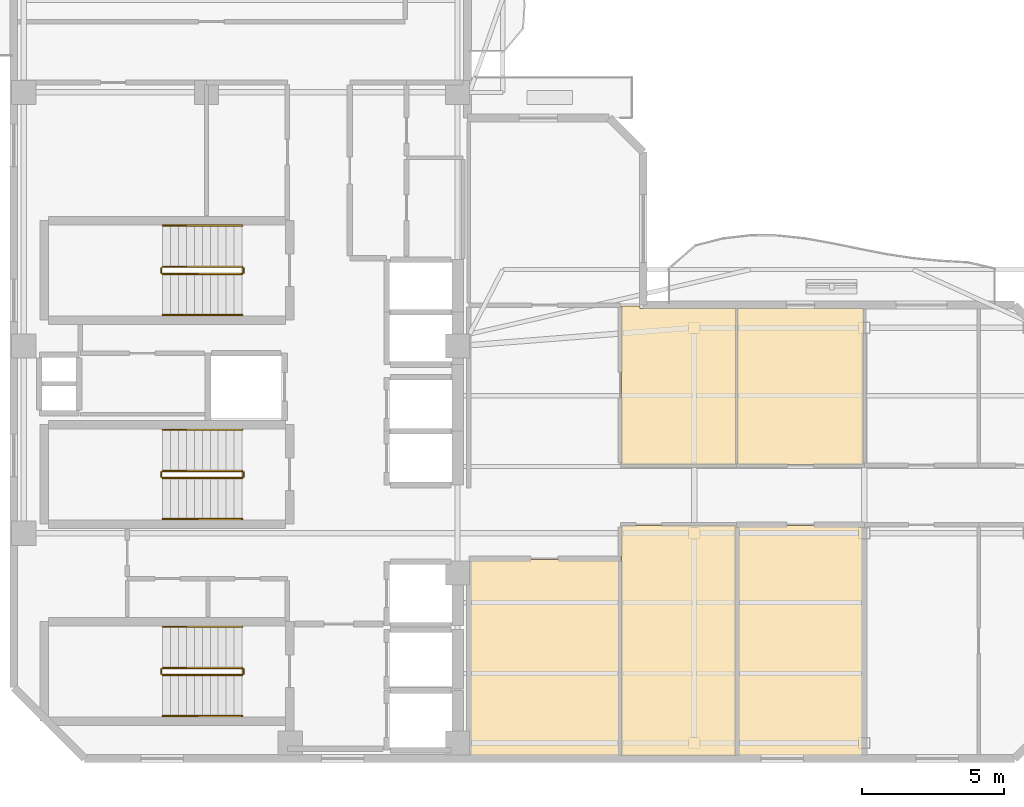
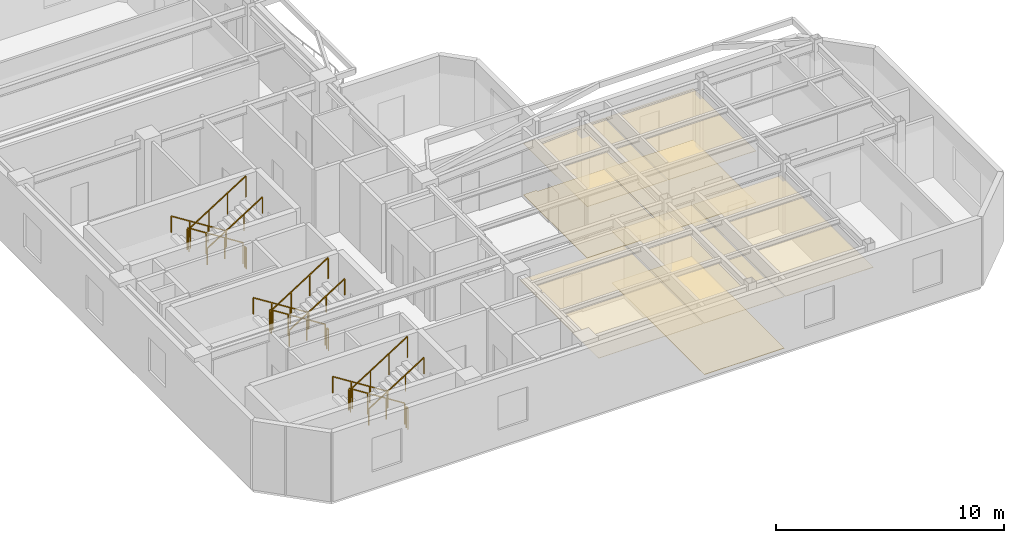
# One storey, part 6 of 8: 18 railings, 8 coverings.
"""IFC4 building model written with IfcOpenShell, lengths in metres."""

from ifc_helpers import new_model, si_unit, direction, frame, origin, origin_2d, place, context, subcontext, project, spatial, polyline, rectangle, outline, extrude, material, layer, layer_set, type_object, element, save


model = new_model("IFC4")

# Units and contexts
model_context = context("Model", 3, precision=1e-05, world=origin(), true_north=direction((0.0, 1.0)))
body_context = subcontext(model_context, "Body", "Model", "MODEL_VIEW")
ifc_project = project(units=[si_unit("LENGTHUNIT", "METRE"), si_unit("AREAUNIT", "SQUARE_METRE"), si_unit("VOLUMEUNIT", "CUBIC_METRE"), si_unit("PLANEANGLEUNIT", "RADIAN"), si_unit("MASSUNIT", "GRAM", prefix="KILO")], contexts=[model_context])

# Site, building, storey
site_placement = place(None, origin())
site = spatial("IfcSite", under=ifc_project, at=site_placement, CompositionType="ELEMENT")
building_placement = place(site_placement, origin())
building = spatial("IfcBuilding", under=site, at=building_placement, Name="Mawjaban Terraces University", CompositionType="ELEMENT")
storey_placement = place(building_placement, frame((0.0, 0.0, 267.699951171875)))
storey = spatial("IfcBuildingStorey", under=building, at=storey_placement, Name="L65", CompositionType="ELEMENT", Elevation=267.699951171875)

# Coverings
ifc_material_1 = material(Name="Acoustic mineral fibre ceiling tile", Category="masonry")
ifc_layer_1 = layer(ifc_material_1, 0.02001953125)
ifc_layer_set_1 = layer_set([ifc_layer_1], Name="Acoustic mineral fibre ceiling tile")
covering_type_1 = type_object("IfcCoveringType", Name="AcousticMineralCeiling_20", PredefinedType="CEILING", material=ifc_layer_set_1)
covering_1_placement = place(storey_placement, frame((0.0, 0.0, 2.75)))
element("IfcCovering", 1, at=covering_1_placement, inside=storey, type_object=covering_type_1, Name="L65 Media Workshop 1 Acoustic Ceiling", PredefinedType="CEILING", context=body_context, shape_type="SweptSolid", body=[
    extrude(outline(polyline([(38.080078125, 7.02001953125), (38.080078125, 0.114990234375), (43.3701171875, 0.114990234375), (43.3701171875, 7.02001953125), (38.080078125, 7.02001953125)])), origin(), (0.0, 0.0, 1.0), 0.02001953125),
])
covering_2_placement = place(storey_placement, frame((0.0, 0.0, 2.75)))
element("IfcCovering", 2, at=covering_2_placement, inside=storey, type_object=covering_type_1, Name="L65 Quiet Reading Room 2 Acoustic Ceiling", PredefinedType="CEILING", context=body_context, shape_type="SweptSolid", body=[
    extrude(outline(polyline([(43.429931640625, 0.114990234375), (47.469970703125, 0.114990234375), (47.469970703125, 8.219970703125), (43.429931640625, 8.219970703125), (43.429931640625, 0.114990234375)])), origin(), (0.0, 0.0, 1.0), 0.02001953125),
])
covering_3_placement = place(storey_placement, frame((0.0, 0.0, 2.75)))
element("IfcCovering", 3, at=covering_3_placement, inside=storey, type_object=covering_type_1, Name="L65 Reading Salon 3 Acoustic Ceiling", PredefinedType="CEILING", context=body_context, shape_type="SweptSolid", body=[
    extrude(outline(polyline([(47.469970703125, 15.885009765625), (44.0849609375, 15.885009765625), (44.0849609375, 15.969970703125), (43.429931640625, 15.969970703125), (43.429931640625, 10.3798828125), (47.469970703125, 10.3798828125), (47.469970703125, 15.885009765625)])), origin(), (0.0, 0.0, 1.0), 0.02001953125),
])
covering_4_placement = place(storey_placement, frame((0.0, 0.0, 2.75)))
element("IfcCovering", 4, at=covering_4_placement, inside=storey, type_object=covering_type_1, Name="L65 Media Workshop 4 Acoustic Ceiling", PredefinedType="CEILING", context=body_context, shape_type="SweptSolid", body=[
    extrude(outline(polyline([(47.530029296875, 0.114990234375), (51.969970703125, 0.114990234375), (51.969970703125, 8.219970703125), (47.530029296875, 8.219970703125), (47.530029296875, 0.114990234375)])), origin(), (0.0, 0.0, 1.0), 0.02001953125),
])
covering_5_placement = place(storey_placement, frame((0.0, 0.0, 2.75)))
element("IfcCovering", 5, at=covering_5_placement, inside=storey, type_object=covering_type_1, Name="L65 Quiet Reading Room 5 Acoustic Ceiling", PredefinedType="CEILING", context=body_context, shape_type="SweptSolid", body=[
    extrude(outline(polyline([(51.969970703125, 15.885009765625), (47.530029296875, 15.885009765625), (47.530029296875, 10.3798828125), (51.969970703125, 10.3798828125), (51.969970703125, 15.885009765625)])), origin(), (0.0, 0.0, 1.0), 0.02001953125),
])

# Railings
ifc_material_2 = material(Name="Brushed stainless steel 316", Category="steel")
railing_type_1 = type_object("IfcRailingType", Name="StairWallHandrail_900", PredefinedType="HANDRAIL", material=ifc_material_2)
railing_1_placement = place(storey_placement, frame((30.050048828125, 4.64990234375, 0.17724609375)))
element("IfcRailing", 6, at=railing_1_placement, inside=storey, type_object=railing_type_1, Name="L65 ST-1 stair handrail 1", PredefinedType="HANDRAIL", context=body_context, shape_type="SweptSolid", body=[
    extrude(rectangle(XDim=0.048095703125, YDim=0.048095703125, at=origin_2d()), frame((0.0, 0.0, 0.8759765625), z_axis=(-0.844908973607, 0.0, 0.534910110503), x_axis=(0.0, -1.0, 0.0)), (0.0, 0.0, 1.0), 3.31396484375),
    extrude(rectangle(XDim=0.0419921875, YDim=0.0419921875, at=origin_2d()), origin(), (0.0, 0.0, 1.0), 0.851806640625),
    extrude(rectangle(XDim=0.0419921875, YDim=0.0419921875, at=origin_2d()), frame((-0.933349609375, 0.0, 0.5908203125)), (0.0, 0.0, 1.0), 0.851806640625),
    extrude(rectangle(XDim=0.0419921875, YDim=0.0419921875, at=origin_2d()), frame((-1.86669921875, 0.0, 1.181884765625)), (0.0, 0.0, 1.0), 0.851806640625),
    extrude(rectangle(XDim=0.0419921875, YDim=0.0419921875, at=origin_2d()), frame((-2.800048828125, 0.0, 1.772705078125)), (0.0, 0.0, 1.0), 0.851806640625),
])
railing_2_placement = place(storey_placement, frame((27.25, 1.5, 2.12744140625)))
element("IfcRailing", 7, at=railing_2_placement, inside=storey, type_object=railing_type_1, Name="L65 ST-1 stair handrail 2", PredefinedType="HANDRAIL", context=body_context, shape_type="SweptSolid", body=[
    extrude(rectangle(XDim=0.048095703125, YDim=0.048095703125, at=origin_2d()), frame((0.0, 0.0, 0.8759765625), z_axis=(0.844908973607, 0.0, 0.534910110503), x_axis=(0.0, 1.0, 0.0)), (0.0, 0.0, 1.0), 3.31396484375),
    extrude(rectangle(XDim=0.0419921875, YDim=0.0419921875, at=origin_2d()), origin(), (0.0, 0.0, 1.0), 0.851806640625),
    extrude(rectangle(XDim=0.0419921875, YDim=0.0419921875, at=origin_2d()), frame((0.933349609375, 0.0, 0.5908203125)), (0.0, 0.0, 1.0), 0.851806640625),
    extrude(rectangle(XDim=0.0419921875, YDim=0.0419921875, at=origin_2d()), frame((1.86669921875, 0.0, 1.181884765625)), (0.0, 0.0, 1.0), 0.851806640625),
    extrude(rectangle(XDim=0.0419921875, YDim=0.0419921875, at=origin_2d()), frame((2.800048828125, 0.0, 1.772705078125)), (0.0, 0.0, 1.0), 0.851806640625),
])
railing_3_placement = place(storey_placement, frame((30.050048828125, 18.800048828125, 0.17724609375)))
element("IfcRailing", 8, at=railing_3_placement, inside=storey, type_object=railing_type_1, Name="L65 ST-2 stair handrail 1", PredefinedType="HANDRAIL", context=body_context, shape_type="SweptSolid", body=[
    extrude(rectangle(XDim=0.048095703125, YDim=0.048095703125, at=origin_2d()), frame((0.0, 0.0, 0.8759765625), z_axis=(-0.844908973607, 0.0, 0.534910110503), x_axis=(0.0, -1.0, 0.0)), (0.0, 0.0, 1.0), 3.31396484375),
    extrude(rectangle(XDim=0.0419921875, YDim=0.0419921875, at=origin_2d()), origin(), (0.0, 0.0, 1.0), 0.851806640625),
    extrude(rectangle(XDim=0.0419921875, YDim=0.0419921875, at=origin_2d()), frame((-0.933349609375, 0.0, 0.5908203125)), (0.0, 0.0, 1.0), 0.851806640625),
    extrude(rectangle(XDim=0.0419921875, YDim=0.0419921875, at=origin_2d()), frame((-1.86669921875, 0.0, 1.181884765625)), (0.0, 0.0, 1.0), 0.851806640625),
    extrude(rectangle(XDim=0.0419921875, YDim=0.0419921875, at=origin_2d()), frame((-2.800048828125, 0.0, 1.772705078125)), (0.0, 0.0, 1.0), 0.851806640625),
])
railing_4_placement = place(storey_placement, frame((27.25, 15.64990234375, 2.12744140625)))
element("IfcRailing", 9, at=railing_4_placement, inside=storey, type_object=railing_type_1, Name="L65 ST-2 stair handrail 2", PredefinedType="HANDRAIL", context=body_context, shape_type="SweptSolid", body=[
    extrude(rectangle(XDim=0.048095703125, YDim=0.048095703125, at=origin_2d()), frame((0.0, 0.0, 0.8759765625), z_axis=(0.844908973607, 0.0, 0.534910110503), x_axis=(0.0, 1.0, 0.0)), (0.0, 0.0, 1.0), 3.31396484375),
    extrude(rectangle(XDim=0.0419921875, YDim=0.0419921875, at=origin_2d()), origin(), (0.0, 0.0, 1.0), 0.851806640625),
    extrude(rectangle(XDim=0.0419921875, YDim=0.0419921875, at=origin_2d()), frame((0.933349609375, 0.0, 0.5908203125)), (0.0, 0.0, 1.0), 0.851806640625),
    extrude(rectangle(XDim=0.0419921875, YDim=0.0419921875, at=origin_2d()), frame((1.86669921875, 0.0, 1.181884765625)), (0.0, 0.0, 1.0), 0.851806640625),
    extrude(rectangle(XDim=0.0419921875, YDim=0.0419921875, at=origin_2d()), frame((2.800048828125, 0.0, 1.772705078125)), (0.0, 0.0, 1.0), 0.851806640625),
])
railing_5_placement = place(storey_placement, frame((30.050048828125, 11.60009765625, 0.17724609375)))
element("IfcRailing", 10, at=railing_5_placement, inside=storey, type_object=railing_type_1, Name="L65 ST-3 stair handrail 1", PredefinedType="HANDRAIL", context=body_context, shape_type="SweptSolid", body=[
    extrude(rectangle(XDim=0.048095703125, YDim=0.048095703125, at=origin_2d()), frame((0.0, 0.0, 0.8759765625), z_axis=(-0.844908973607, 0.0, 0.534910110503), x_axis=(0.0, -1.0, 0.0)), (0.0, 0.0, 1.0), 3.31396484375),
    extrude(rectangle(XDim=0.0419921875, YDim=0.0419921875, at=origin_2d()), origin(), (0.0, 0.0, 1.0), 0.851806640625),
    extrude(rectangle(XDim=0.0419921875, YDim=0.0419921875, at=origin_2d()), frame((-0.933349609375, 0.0, 0.5908203125)), (0.0, 0.0, 1.0), 0.851806640625),
    extrude(rectangle(XDim=0.0419921875, YDim=0.0419921875, at=origin_2d()), frame((-1.86669921875, 0.0, 1.181884765625)), (0.0, 0.0, 1.0), 0.851806640625),
    extrude(rectangle(XDim=0.0419921875, YDim=0.0419921875, at=origin_2d()), frame((-2.800048828125, 0.0, 1.772705078125)), (0.0, 0.0, 1.0), 0.851806640625),
])
railing_6_placement = place(storey_placement, frame((27.25, 8.449951171875, 2.12744140625)))
element("IfcRailing", 11, at=railing_6_placement, inside=storey, type_object=railing_type_1, Name="L65 ST-3 stair handrail 2", PredefinedType="HANDRAIL", context=body_context, shape_type="SweptSolid", body=[
    extrude(rectangle(XDim=0.048095703125, YDim=0.048095703125, at=origin_2d()), frame((0.0, 0.0, 0.8759765625), z_axis=(0.844908973607, 0.0, 0.534910110503), x_axis=(0.0, 1.0, 0.0)), (0.0, 0.0, 1.0), 3.31396484375),
    extrude(rectangle(XDim=0.0419921875, YDim=0.0419921875, at=origin_2d()), origin(), (0.0, 0.0, 1.0), 0.851806640625),
    extrude(rectangle(XDim=0.0419921875, YDim=0.0419921875, at=origin_2d()), frame((0.933349609375, 0.0, 0.5908203125)), (0.0, 0.0, 1.0), 0.851806640625),
    extrude(rectangle(XDim=0.0419921875, YDim=0.0419921875, at=origin_2d()), frame((1.86669921875, 0.0, 1.181884765625)), (0.0, 0.0, 1.0), 0.851806640625),
    extrude(rectangle(XDim=0.0419921875, YDim=0.0419921875, at=origin_2d()), frame((2.800048828125, 0.0, 1.772705078125)), (0.0, 0.0, 1.0), 0.851806640625),
])
ifc_material_3 = material(Name="Galvanised painted steel S355", Category="steel")
railing_type_2 = type_object("IfcRailingType", Name="StairWellGuard_1150", PredefinedType="BALUSTRADE", material=ifc_material_3)
railing_7_placement = place(storey_placement, frame((30.050048828125, 3.199951171875, 0.17724609375)))
element("IfcRailing", 12, at=railing_7_placement, inside=storey, type_object=railing_type_2, Name="L65 ST-1 stair guard 1", PredefinedType="BALUSTRADE", context=body_context, shape_type="SweptSolid", body=[
    extrude(rectangle(XDim=0.048095703125, YDim=0.048095703125, at=origin_2d()), frame((0.0, 0.0, 1.1259765625), z_axis=(-0.844908973607, 0.0, 0.534910110503), x_axis=(0.0, -1.0, 0.0)), (0.0, 0.0, 1.0), 3.31396484375),
    extrude(rectangle(XDim=0.0419921875, YDim=0.0419921875, at=origin_2d()), origin(), (0.0, 0.0, 1.0), 1.101806640625),
    extrude(rectangle(XDim=0.0419921875, YDim=0.0419921875, at=origin_2d()), frame((-0.933349609375, 0.0, 0.5908203125)), (0.0, 0.0, 1.0), 1.101806640625),
    extrude(rectangle(XDim=0.0419921875, YDim=0.0419921875, at=origin_2d()), frame((-1.86669921875, 0.0, 1.181884765625)), (0.0, 0.0, 1.0), 1.101806640625),
    extrude(rectangle(XDim=0.0419921875, YDim=0.0419921875, at=origin_2d()), frame((-2.800048828125, 0.0, 1.772705078125)), (0.0, 0.0, 1.0), 1.101806640625),
])
railing_8_placement = place(storey_placement, frame((27.199951171875, 3.14990234375, 1.949951171875)))
element("IfcRailing", 13, at=railing_8_placement, inside=storey, type_object=railing_type_2, Name="L65 ST-1 stair guard 2", PredefinedType="BALUSTRADE", context=body_context, shape_type="SweptSolid", body=[
    extrude(rectangle(XDim=0.048095703125, YDim=0.048095703125, at=origin_2d()), frame((0.0, 0.0, 1.1259765625), z_axis=(0.0, -1.0, 0.0), x_axis=(1.0, 0.0, 0.0)), (0.0, 0.0, 1.0), 0.14990234375),
    extrude(rectangle(XDim=0.0419921875, YDim=0.0419921875, at=origin_2d()), origin(), (0.0, 0.0, 1.0), 1.101806640625),
    extrude(rectangle(XDim=0.0419921875, YDim=0.0419921875, at=origin_2d()), frame((0.0, -0.14990234375, 0.0)), (0.0, 0.0, 1.0), 1.101806640625),
])
railing_9_placement = place(storey_placement, frame((27.25, 2.949951171875, 2.12744140625)))
element("IfcRailing", 14, at=railing_9_placement, inside=storey, type_object=railing_type_2, Name="L65 ST-1 stair guard 3", PredefinedType="BALUSTRADE", context=body_context, shape_type="SweptSolid", body=[
    extrude(rectangle(XDim=0.048095703125, YDim=0.048095703125, at=origin_2d()), frame((0.0, 0.0, 1.1259765625), z_axis=(0.844908973607, 0.0, 0.534910110503), x_axis=(0.0, 1.0, 0.0)), (0.0, 0.0, 1.0), 3.31396484375),
    extrude(rectangle(XDim=0.0419921875, YDim=0.0419921875, at=origin_2d()), origin(), (0.0, 0.0, 1.0), 1.101806640625),
    extrude(rectangle(XDim=0.0419921875, YDim=0.0419921875, at=origin_2d()), frame((0.933349609375, 0.0, 0.5908203125)), (0.0, 0.0, 1.0), 1.101806640625),
    extrude(rectangle(XDim=0.0419921875, YDim=0.0419921875, at=origin_2d()), frame((1.86669921875, 0.0, 1.181884765625)), (0.0, 0.0, 1.0), 1.101806640625),
    extrude(rectangle(XDim=0.0419921875, YDim=0.0419921875, at=origin_2d()), frame((2.800048828125, 0.0, 1.772705078125)), (0.0, 0.0, 1.0), 1.101806640625),
])
railing_10_placement = place(storey_placement, frame((30.10009765625, 3.14990234375, 0.0)))
element("IfcRailing", 15, at=railing_10_placement, inside=storey, type_object=railing_type_2, Name="L65 ST-1 stair guard 4", PredefinedType="BALUSTRADE", context=body_context, shape_type="SweptSolid", body=[
    extrude(rectangle(XDim=0.048095703125, YDim=0.048095703125, at=origin_2d()), frame((0.0, 0.0, 1.1259765625), z_axis=(0.0, -1.0, 0.0), x_axis=(1.0, 0.0, 0.0)), (0.0, 0.0, 1.0), 0.14990234375),
    extrude(rectangle(XDim=0.0419921875, YDim=0.0419921875, at=origin_2d()), origin(), (0.0, 0.0, 1.0), 1.101806640625),
    extrude(rectangle(XDim=0.0419921875, YDim=0.0419921875, at=origin_2d()), frame((0.0, -0.14990234375, 0.0)), (0.0, 0.0, 1.0), 1.101806640625),
])
railing_11_placement = place(storey_placement, frame((30.050048828125, 17.35009765625, 0.17724609375)))
element("IfcRailing", 16, at=railing_11_placement, inside=storey, type_object=railing_type_2, Name="L65 ST-2 stair guard 1", PredefinedType="BALUSTRADE", context=body_context, shape_type="SweptSolid", body=[
    extrude(rectangle(XDim=0.048095703125, YDim=0.048095703125, at=origin_2d()), frame((0.0, 0.0, 1.1259765625), z_axis=(-0.844908973607, 0.0, 0.534910110503), x_axis=(0.0, -1.0, 0.0)), (0.0, 0.0, 1.0), 3.31396484375),
    extrude(rectangle(XDim=0.0419921875, YDim=0.0419921875, at=origin_2d()), origin(), (0.0, 0.0, 1.0), 1.101806640625),
    extrude(rectangle(XDim=0.0419921875, YDim=0.0419921875, at=origin_2d()), frame((-0.933349609375, 0.0, 0.5908203125)), (0.0, 0.0, 1.0), 1.101806640625),
    extrude(rectangle(XDim=0.0419921875, YDim=0.0419921875, at=origin_2d()), frame((-1.86669921875, 0.0, 1.181884765625)), (0.0, 0.0, 1.0), 1.101806640625),
    extrude(rectangle(XDim=0.0419921875, YDim=0.0419921875, at=origin_2d()), frame((-2.800048828125, 0.0, 1.772705078125)), (0.0, 0.0, 1.0), 1.101806640625),
])
railing_12_placement = place(storey_placement, frame((27.199951171875, 17.300048828125, 1.949951171875)))
element("IfcRailing", 17, at=railing_12_placement, inside=storey, type_object=railing_type_2, Name="L65 ST-2 stair guard 2", PredefinedType="BALUSTRADE", context=body_context, shape_type="SweptSolid", body=[
    extrude(rectangle(XDim=0.048095703125, YDim=0.048095703125, at=origin_2d()), frame((0.0, 0.0, 1.1259765625), z_axis=(0.0, -1.0, 0.0), x_axis=(1.0, 0.0, 0.0)), (0.0, 0.0, 1.0), 0.150146484375),
    extrude(rectangle(XDim=0.0419921875, YDim=0.0419921875, at=origin_2d()), origin(), (0.0, 0.0, 1.0), 1.101806640625),
    extrude(rectangle(XDim=0.0419921875, YDim=0.0419921875, at=origin_2d()), frame((0.0, -0.150146484375, 0.0)), (0.0, 0.0, 1.0), 1.101806640625),
])
railing_13_placement = place(storey_placement, frame((27.25, 17.10009765625, 2.12744140625)))
element("IfcRailing", 18, at=railing_13_placement, inside=storey, type_object=railing_type_2, Name="L65 ST-2 stair guard 3", PredefinedType="BALUSTRADE", context=body_context, shape_type="SweptSolid", body=[
    extrude(rectangle(XDim=0.048095703125, YDim=0.048095703125, at=origin_2d()), frame((0.0, 0.0, 1.1259765625), z_axis=(0.844908973607, 0.0, 0.534910110503), x_axis=(0.0, 1.0, 0.0)), (0.0, 0.0, 1.0), 3.31396484375),
    extrude(rectangle(XDim=0.0419921875, YDim=0.0419921875, at=origin_2d()), origin(), (0.0, 0.0, 1.0), 1.101806640625),
    extrude(rectangle(XDim=0.0419921875, YDim=0.0419921875, at=origin_2d()), frame((0.933349609375, 0.0, 0.5908203125)), (0.0, 0.0, 1.0), 1.101806640625),
    extrude(rectangle(XDim=0.0419921875, YDim=0.0419921875, at=origin_2d()), frame((1.86669921875, 0.0, 1.181884765625)), (0.0, 0.0, 1.0), 1.101806640625),
    extrude(rectangle(XDim=0.0419921875, YDim=0.0419921875, at=origin_2d()), frame((2.800048828125, 0.0, 1.772705078125)), (0.0, 0.0, 1.0), 1.101806640625),
])
railing_14_placement = place(storey_placement, frame((30.10009765625, 17.300048828125, 0.0)))
element("IfcRailing", 19, at=railing_14_placement, inside=storey, type_object=railing_type_2, Name="L65 ST-2 stair guard 4", PredefinedType="BALUSTRADE", context=body_context, shape_type="SweptSolid", body=[
    extrude(rectangle(XDim=0.048095703125, YDim=0.048095703125, at=origin_2d()), frame((0.0, 0.0, 1.1259765625), z_axis=(0.0, -1.0, 0.0), x_axis=(1.0, 0.0, 0.0)), (0.0, 0.0, 1.0), 0.150146484375),
    extrude(rectangle(XDim=0.0419921875, YDim=0.0419921875, at=origin_2d()), origin(), (0.0, 0.0, 1.0), 1.101806640625),
    extrude(rectangle(XDim=0.0419921875, YDim=0.0419921875, at=origin_2d()), frame((0.0, -0.150146484375, 0.0)), (0.0, 0.0, 1.0), 1.101806640625),
])
railing_15_placement = place(storey_placement, frame((30.050048828125, 10.14990234375, 0.17724609375)))
element("IfcRailing", 20, at=railing_15_placement, inside=storey, type_object=railing_type_2, Name="L65 ST-3 stair guard 1", PredefinedType="BALUSTRADE", context=body_context, shape_type="SweptSolid", body=[
    extrude(rectangle(XDim=0.048095703125, YDim=0.048095703125, at=origin_2d()), frame((0.0, 0.0, 1.1259765625), z_axis=(-0.844908973607, 0.0, 0.534910110503), x_axis=(0.0, -1.0, 0.0)), (0.0, 0.0, 1.0), 3.31396484375),
    extrude(rectangle(XDim=0.0419921875, YDim=0.0419921875, at=origin_2d()), origin(), (0.0, 0.0, 1.0), 1.101806640625),
    extrude(rectangle(XDim=0.0419921875, YDim=0.0419921875, at=origin_2d()), frame((-0.933349609375, 0.0, 0.5908203125)), (0.0, 0.0, 1.0), 1.101806640625),
    extrude(rectangle(XDim=0.0419921875, YDim=0.0419921875, at=origin_2d()), frame((-1.86669921875, 0.0, 1.181884765625)), (0.0, 0.0, 1.0), 1.101806640625),
    extrude(rectangle(XDim=0.0419921875, YDim=0.0419921875, at=origin_2d()), frame((-2.800048828125, 0.0, 1.772705078125)), (0.0, 0.0, 1.0), 1.101806640625),
])
railing_16_placement = place(storey_placement, frame((27.199951171875, 10.10009765625, 1.949951171875)))
element("IfcRailing", 21, at=railing_16_placement, inside=storey, type_object=railing_type_2, Name="L65 ST-3 stair guard 2", PredefinedType="BALUSTRADE", context=body_context, shape_type="SweptSolid", body=[
    extrude(rectangle(XDim=0.048095703125, YDim=0.048095703125, at=origin_2d()), frame((0.0, 0.0, 1.1259765625), z_axis=(0.0, -1.0, 0.0), x_axis=(1.0, 0.0, 0.0)), (0.0, 0.0, 1.0), 0.150146484375),
    extrude(rectangle(XDim=0.0419921875, YDim=0.0419921875, at=origin_2d()), origin(), (0.0, 0.0, 1.0), 1.101806640625),
    extrude(rectangle(XDim=0.0419921875, YDim=0.0419921875, at=origin_2d()), frame((0.0, -0.150146484375, 0.0)), (0.0, 0.0, 1.0), 1.101806640625),
])
railing_17_placement = place(storey_placement, frame((27.25, 9.89990234375, 2.12744140625)))
element("IfcRailing", 22, at=railing_17_placement, inside=storey, type_object=railing_type_2, Name="L65 ST-3 stair guard 3", PredefinedType="BALUSTRADE", context=body_context, shape_type="SweptSolid", body=[
    extrude(rectangle(XDim=0.048095703125, YDim=0.048095703125, at=origin_2d()), frame((0.0, 0.0, 1.1259765625), z_axis=(0.844908973607, 0.0, 0.534910110503), x_axis=(0.0, 1.0, 0.0)), (0.0, 0.0, 1.0), 3.31396484375),
    extrude(rectangle(XDim=0.0419921875, YDim=0.0419921875, at=origin_2d()), origin(), (0.0, 0.0, 1.0), 1.101806640625),
    extrude(rectangle(XDim=0.0419921875, YDim=0.0419921875, at=origin_2d()), frame((0.933349609375, 0.0, 0.5908203125)), (0.0, 0.0, 1.0), 1.101806640625),
    extrude(rectangle(XDim=0.0419921875, YDim=0.0419921875, at=origin_2d()), frame((1.86669921875, 0.0, 1.181884765625)), (0.0, 0.0, 1.0), 1.101806640625),
    extrude(rectangle(XDim=0.0419921875, YDim=0.0419921875, at=origin_2d()), frame((2.800048828125, 0.0, 1.772705078125)), (0.0, 0.0, 1.0), 1.101806640625),
])
railing_18_placement = place(storey_placement, frame((30.10009765625, 10.10009765625, 0.0)))
element("IfcRailing", 23, at=railing_18_placement, inside=storey, type_object=railing_type_2, Name="L65 ST-3 stair guard 4", PredefinedType="BALUSTRADE", context=body_context, shape_type="SweptSolid", body=[
    extrude(rectangle(XDim=0.048095703125, YDim=0.048095703125, at=origin_2d()), frame((0.0, 0.0, 1.1259765625), z_axis=(0.0, -1.0, 0.0), x_axis=(1.0, 0.0, 0.0)), (0.0, 0.0, 1.0), 0.150146484375),
    extrude(rectangle(XDim=0.0419921875, YDim=0.0419921875, at=origin_2d()), origin(), (0.0, 0.0, 1.0), 1.101806640625),
    extrude(rectangle(XDim=0.0419921875, YDim=0.0419921875, at=origin_2d()), frame((0.0, -0.150146484375, 0.0)), (0.0, 0.0, 1.0), 1.101806640625),
])

# Coverings
ifc_material_4 = material(Name="Polished Hijazi granite terrazzo flooring", Category="masonry")
ifc_layer_2 = layer(ifc_material_4, 0.02490234375)
ifc_layer_set_2 = layer_set([ifc_layer_2], Name="Polished Hijazi granite terrazzo flooring")
covering_type_2 = type_object("IfcCoveringType", Name="TerrazzoConcourseFlooring_25", PredefinedType="FLOORING", material=ifc_layer_set_2)
covering_6_placement = place(storey_placement, origin())
element("IfcCovering", 24, at=covering_6_placement, inside=storey, type_object=covering_type_2, Name="L65 Quiet Reading Room 2 Terrazzo Flooring", PredefinedType="FLOORING", context=body_context, shape_type="SweptSolid", body=[
    extrude(outline(polyline([(43.429931640625, 0.114990234375), (47.469970703125, 0.114990234375), (47.469970703125, 8.219970703125), (43.429931640625, 8.219970703125), (43.429931640625, 0.114990234375)])), origin(), (0.0, 0.0, 1.0), 0.025146484375),
])
covering_7_placement = place(storey_placement, origin())
element("IfcCovering", 25, at=covering_7_placement, inside=storey, type_object=covering_type_2, Name="L65 Reading Salon 3 Terrazzo Flooring", PredefinedType="FLOORING", context=body_context, shape_type="SweptSolid", body=[
    extrude(outline(polyline([(47.469970703125, 15.885009765625), (44.0849609375, 15.885009765625), (44.0849609375, 15.969970703125), (43.429931640625, 15.969970703125), (43.429931640625, 10.3798828125), (47.469970703125, 10.3798828125), (47.469970703125, 15.885009765625)])), origin(), (0.0, 0.0, 1.0), 0.025146484375),
])
covering_8_placement = place(storey_placement, origin())
element("IfcCovering", 26, at=covering_8_placement, inside=storey, type_object=covering_type_2, Name="L65 Quiet Reading Room 5 Terrazzo Flooring", PredefinedType="FLOORING", context=body_context, shape_type="SweptSolid", body=[
    extrude(outline(polyline([(51.969970703125, 15.885009765625), (47.530029296875, 15.885009765625), (47.530029296875, 10.3798828125), (51.969970703125, 10.3798828125), (51.969970703125, 15.885009765625)])), origin(), (0.0, 0.0, 1.0), 0.025146484375),
])

save(model, "model.ifc")
